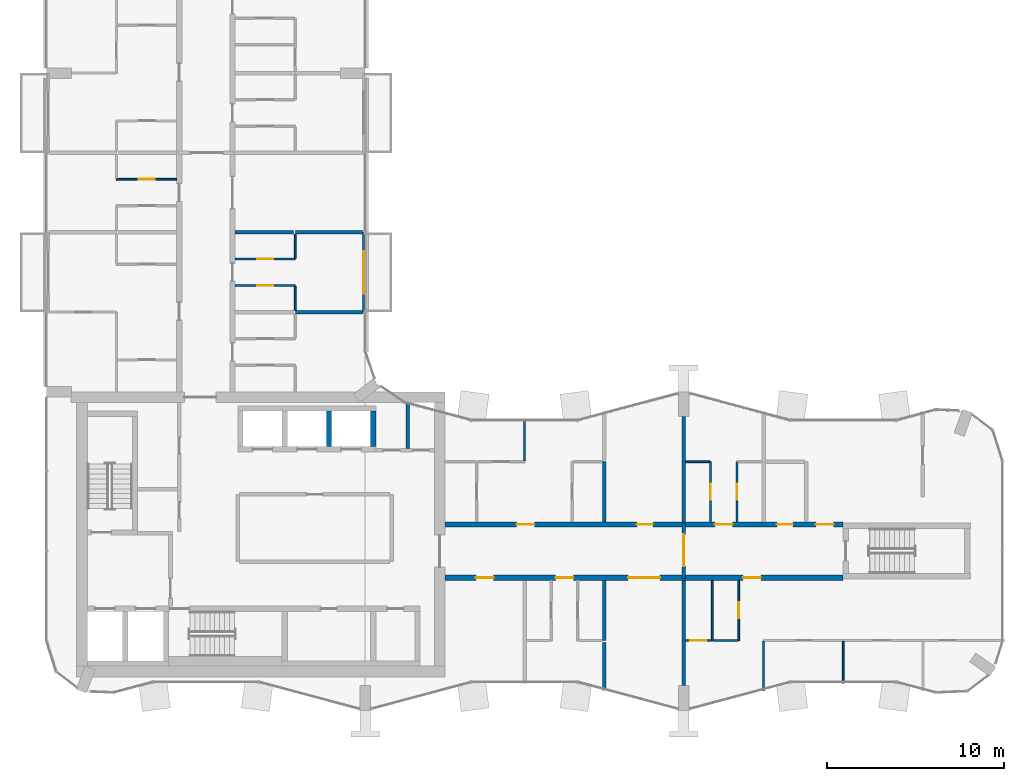
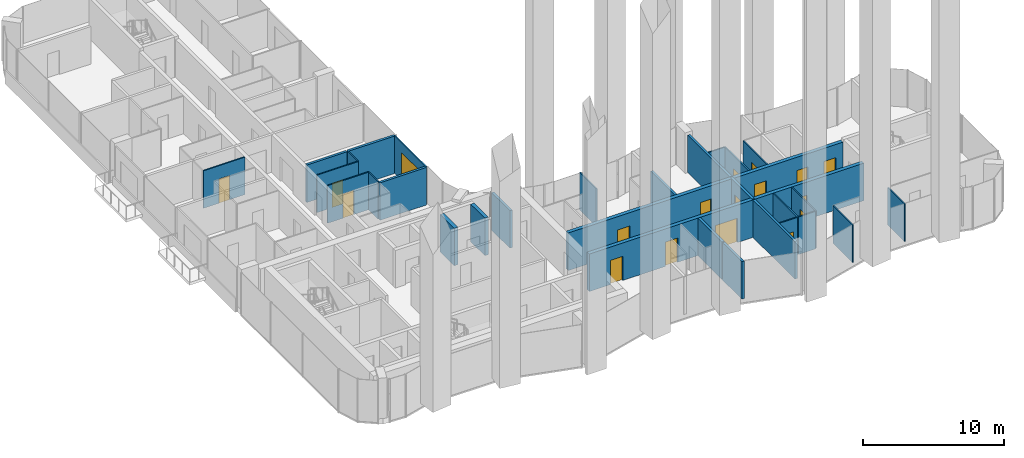
# One storey, part 11 of 18: 30 walls, 18 doors, 18 openings.
"""IFC4 building model written with IfcOpenShell, lengths in metres."""

from ifc_helpers import new_model, si_unit, direction, frame, frame_2d, origin, place, context, subcontext, project, spatial, rectangle, extrude, material, layer, layer_set, type_object, element, fill, save


model = new_model("IFC4")

# Units and contexts
model_context = context("Model", 3, precision=1e-05, world=origin(), true_north=direction((0.0, 1.0)))
body_context = subcontext(model_context, "Body", "Model", "MODEL_VIEW")
ifc_project = project(units=[si_unit("LENGTHUNIT", "METRE"), si_unit("AREAUNIT", "SQUARE_METRE"), si_unit("VOLUMEUNIT", "CUBIC_METRE"), si_unit("PLANEANGLEUNIT", "RADIAN"), si_unit("MASSUNIT", "GRAM", prefix="KILO")], contexts=[model_context])

# Site, building, storey
site_placement = place(None, origin())
site = spatial("IfcSite", under=ifc_project, at=site_placement, CompositionType="ELEMENT")
building_placement = place(site_placement, origin())
building = spatial("IfcBuilding", under=site, at=building_placement, Name="Plateau Cross Towers", CompositionType="ELEMENT")
storey_placement = place(building_placement, frame((0.0, 0.0, 139.39990234375)))
storey = spatial("IfcBuildingStorey", under=building, at=storey_placement, Name="L35", CompositionType="ELEMENT", Elevation=139.39990234375)

# Wall, opening, door
ifc_material_1 = material(Name="Aluminium framed glazing", Category="aluminium")
ifc_layer_1 = layer(ifc_material_1, 0.10009765625)
ifc_layer_set_1 = layer_set([ifc_layer_1], Name="Aluminium framed glazing")
wall_type_1 = type_object("IfcWallType", Name="Balcony screen wall 100", PredefinedType="STANDARD", material=ifc_layer_set_1)
wall_1_placement = place(storey_placement, frame((17.89990234375, 27.0, 0.0), z_axis=(0.0, 0.0, 1.0), x_axis=(0.0, -1.0, 0.0)))
wall_1 = element("IfcWall", 1, at=wall_1_placement, inside=storey, type_object=wall_type_1, Name="Balcony screen wall A-BAL-L35-03", PredefinedType="STANDARD", context=body_context, shape_type="SweptSolid", body=[
    extrude(rectangle(XDim=4.5, YDim=0.10009765625, at=frame_2d((2.25, 0.0))), origin(), (0.0, 0.0, 1.0), 3.25),
])
opening_1_placement = place(wall_1_placement, frame((1.050048828125, 0.0, 0.0)))
opening_1 = element("IfcOpeningElement", 2, at=opening_1_placement, cuts=wall_1, Name="Opening D-B24", PredefinedType="OPENING", context=body_context, shape_type="SweptSolid", body=[
    extrude(rectangle(XDim=2.39990234375, YDim=2.39990234375, at=frame_2d((1.199951171875, 1.199951171875))), frame((0.0, 0.06005859375, 0.0), z_axis=(0.0, -1.0, 0.0), x_axis=(1.0, 0.0, 0.0)), (0.0, 0.0, 1.0), 0.1201171875),
])
ifc_material_2 = material(Name="Aluminium frame, double glazing", Category="aluminium")
door_type_1 = type_object("IfcDoorType", Name="Balcony sliding door 2400", OperationType="NOTDEFINED", PredefinedType="DOOR", material=ifc_material_2)
door_1_placement = place(opening_1_placement, origin())
door_1 = element("IfcDoor", 3, at=door_1_placement, inside=storey, type_object=door_type_1, Name="Balcony door A-BAL-L35-03", OperationType="SINGLE_SWING_LEFT", OverallHeight=2.39990234375, OverallWidth=2.39990234375, PredefinedType="DOOR", context=body_context, shape_type="SweptSolid", body=[
    extrude(rectangle(XDim=2.39990234375, YDim=2.39990234375, at=frame_2d((1.199951171875, 1.199951171875))), frame((0.0, 0.02490234375, 0.0), z_axis=(0.0, -1.0, 0.0), x_axis=(1.0, 0.0, 0.0)), (0.0, 0.0, 1.0), 0.050048828125),
])
fill(opening_1, door_1)

# Walls
ifc_material_3 = material(Name="Concrete block, plastered both sides", Category="concrete")
ifc_layer_2 = layer(ifc_material_3, 0.199951171875)
ifc_layer_set_2 = layer_set([ifc_layer_2], Name="Concrete block, plastered both sides")
wall_type_2 = type_object("IfcWallType", Name="Core partition 200", PredefinedType="PARTITIONING", material=ifc_layer_set_2)
wall_2_placement = place(storey_placement, frame((20.39990234375, 14.800048828125, 0.0), z_axis=(0.0, 0.0, 1.0), x_axis=(0.0, 1.0, 0.0)))
element("IfcWall", 4, at=wall_2_placement, inside=storey, type_object=wall_type_2, Name="Core partition", PredefinedType="PARTITIONING", context=body_context, shape_type="SweptSolid", body=[
    extrude(rectangle(XDim=2.599853515625, YDim=0.199951171875, at=frame_2d((1.2998046875, 0.0))), origin(), (0.0, 0.0, 1.0), 3.25),
])
ifc_material_4 = material(Name="Concrete C60/75", Category="concrete")
ifc_layer_3 = layer(ifc_material_4, 0.300048828125)
ifc_layer_set_3 = layer_set([ifc_layer_3], Name="Concrete C60/75")
wall_type_3 = type_object("IfcWallType", Name="Core shaft wall 300", PredefinedType="SHEAR", material=ifc_layer_set_3)
for number, where, z_axis, x_axis, name in (
    (5, (15.949951171875, 14.89990234375, 0.0), (0.0, 0.0, 1.0), (0.0, 1.0, 0.0), "A-nb-v3@L35"),
    (6, (18.449951171875, 14.89990234375, 0.0), (0.0, 0.0, 1.0), (0.0, 1.0, 0.0), "A-nb-v4@L35"),
):
    element("IfcWall", number, at=place(storey_placement, frame(where, z_axis=z_axis, x_axis=x_axis)), inside=storey, type_object=wall_type_3, Name=name, PredefinedType="SHEAR", context=body_context, shape_type="SweptSolid", body=[
        extrude(rectangle(XDim=2.0, YDim=0.300048828125, at=frame_2d((1.0, 0.0))), origin(), (0.0, 0.0, 1.0), 3.25),
    ])

# Wall, openings, doors
ifc_layer_4 = layer(ifc_material_4, 0.300048828125)
ifc_layer_set_4 = layer_set([ifc_layer_4], Name="Concrete C60/75")
wall_type_4 = type_object("IfcWallType", Name="Corridor wall 300", PredefinedType="SHEAR", material=ifc_layer_set_4)
wall_3_placement = place(storey_placement, frame((22.5, 7.5, 0.0), z_axis=(0.0, 0.0, 1.0), x_axis=(1.0, 0.0, 0.0)))
wall_3 = element("IfcWall", 7, at=wall_3_placement, inside=storey, type_object=wall_type_4, Name="A-cw-S1@L35", PredefinedType="SHEAR", context=body_context, shape_type="SweptSolid", body=[
    extrude(rectangle(XDim=22.5, YDim=0.300048828125, at=frame_2d((11.25, 0.0))), origin(), (0.0, 0.0, 1.0), 3.25),
])
opening_2_placement = place(wall_3_placement, frame((1.75, 0.0, 0.0)))
opening_2 = element("IfcOpeningElement", 8, at=opening_2_placement, cuts=wall_3, Name="Opening 35-01", PredefinedType="OPENING", context=body_context, shape_type="SweptSolid", body=[
    extrude(rectangle(XDim=1.0, YDim=2.10009765625, at=frame_2d((0.5, 1.050048828125))), frame((0.0, 0.159912109375, 0.0), z_axis=(0.0, -1.0, 0.0), x_axis=(1.0, 0.0, 0.0)), (0.0, 0.0, 1.0), 0.320068359375),
])
opening_3_placement = place(wall_3_placement, frame((6.25, 0.0, 0.0)))
opening_3 = element("IfcOpeningElement", 9, at=opening_3_placement, cuts=wall_3, Name="Opening 35-02", PredefinedType="OPENING", context=body_context, shape_type="SweptSolid", body=[
    extrude(rectangle(XDim=1.0, YDim=2.10009765625, at=frame_2d((0.5, 1.050048828125))), frame((0.0, 0.159912109375, 0.0), z_axis=(0.0, -1.0, 0.0), x_axis=(1.0, 0.0, 0.0)), (0.0, 0.0, 1.0), 0.320068359375),
])
opening_4_placement = place(wall_3_placement, frame((10.35009765625, 0.0, 0.0)))
opening_4 = element("IfcOpeningElement", 10, at=opening_4_placement, cuts=wall_3, Name="Opening 35-03", PredefinedType="OPENING", context=body_context, shape_type="SweptSolid", body=[
    extrude(rectangle(XDim=1.800048828125, YDim=2.10009765625, at=frame_2d((0.89990234375, 1.050048828125))), frame((0.0, 0.159912109375, 0.0), z_axis=(0.0, -1.0, 0.0), x_axis=(1.0, 0.0, 0.0)), (0.0, 0.0, 1.0), 0.320068359375),
])
opening_5_placement = place(wall_3_placement, frame((16.85009765625, 0.0, 0.0)))
opening_5 = element("IfcOpeningElement", 11, at=opening_5_placement, cuts=wall_3, Name="Opening 35-04", PredefinedType="OPENING", context=body_context, shape_type="SweptSolid", body=[
    extrude(rectangle(XDim=1.0, YDim=2.10009765625, at=frame_2d((0.5, 1.050048828125))), frame((0.0, 0.159912109375, 0.0), z_axis=(0.0, -1.0, 0.0), x_axis=(1.0, 0.0, 0.0)), (0.0, 0.0, 1.0), 0.320068359375),
])
ifc_material_5 = material(Name="Timber, fire-resisting leaf", Category="wood")
door_type_2 = type_object("IfcDoorType", Name="Flat entrance door 1000", OperationType="NOTDEFINED", PredefinedType="DOOR", material=ifc_material_5)
door_2_placement = place(opening_2_placement, origin())
door_2 = element("IfcDoor", 12, at=door_2_placement, inside=storey, type_object=door_type_2, Name="Door 35-01", OperationType="SINGLE_SWING_LEFT", OverallHeight=2.10009765625, OverallWidth=1.0, PredefinedType="DOOR", context=body_context, shape_type="SweptSolid", body=[
    extrude(rectangle(XDim=1.0, YDim=2.10009765625, at=frame_2d((0.5, 1.050048828125))), frame((0.0, 0.02490234375, 0.0), z_axis=(0.0, -1.0, 0.0), x_axis=(1.0, 0.0, 0.0)), (0.0, 0.0, 1.0), 0.050048828125),
])
fill(opening_2, door_2)
door_3_placement = place(opening_3_placement, origin())
door_3 = element("IfcDoor", 13, at=door_3_placement, inside=storey, type_object=door_type_2, Name="Door 35-02", OperationType="SINGLE_SWING_LEFT", OverallHeight=2.10009765625, OverallWidth=1.0, PredefinedType="DOOR", context=body_context, shape_type="SweptSolid", body=[
    extrude(rectangle(XDim=1.0, YDim=2.10009765625, at=frame_2d((0.5, 1.050048828125))), frame((0.0, 0.02490234375, 0.0), z_axis=(0.0, -1.0, 0.0), x_axis=(1.0, 0.0, 0.0)), (0.0, 0.0, 1.0), 0.050048828125),
])
fill(opening_3, door_3)
door_4_placement = place(opening_5_placement, origin())
door_4 = element("IfcDoor", 14, at=door_4_placement, inside=storey, type_object=door_type_2, Name="Door 35-04", OperationType="SINGLE_SWING_RIGHT", OverallHeight=2.10009765625, OverallWidth=1.0, PredefinedType="DOOR", context=body_context, shape_type="SweptSolid", body=[
    extrude(rectangle(XDim=1.0, YDim=2.10009765625, at=frame_2d((0.5, 1.050048828125))), frame((0.0, 0.02490234375, 0.0), z_axis=(0.0, -1.0, 0.0), x_axis=(1.0, 0.0, 0.0)), (0.0, 0.0, 1.0), 0.050048828125),
])
fill(opening_5, door_4)
ifc_material_6 = material(Name="Timber, fire-resisting leaves", Category="wood")
door_type_3 = type_object("IfcDoorType", Name="Flat floor fire door pair 1800", OperationType="NOTDEFINED", PredefinedType="DOOR", material=ifc_material_6)
door_5_placement = place(opening_4_placement, origin())
door_5 = element("IfcDoor", 15, at=door_5_placement, inside=storey, type_object=door_type_3, Name="Door 35-03", OperationType="SINGLE_SWING_LEFT", OverallHeight=2.10009765625, OverallWidth=1.800048828125, PredefinedType="DOOR", context=body_context, shape_type="SweptSolid", body=[
    extrude(rectangle(XDim=1.800048828125, YDim=2.10009765625, at=frame_2d((0.89990234375, 1.050048828125))), frame((0.0, 0.02490234375, 0.0), z_axis=(0.0, -1.0, 0.0), x_axis=(1.0, 0.0, 0.0)), (0.0, 0.0, 1.0), 0.050048828125),
])
fill(opening_4, door_5)

wall_4_placement = place(storey_placement, frame((22.5, 10.5, 0.0), z_axis=(0.0, 0.0, 1.0), x_axis=(1.0, 0.0, 0.0)))
wall_4 = element("IfcWall", 16, at=wall_4_placement, inside=storey, type_object=wall_type_4, Name="A-cw-S2@L35", PredefinedType="SHEAR", context=body_context, shape_type="SweptSolid", body=[
    extrude(rectangle(XDim=22.5, YDim=0.300048828125, at=frame_2d((11.25, 0.0))), origin(), (0.0, 0.0, 1.0), 3.25),
])
opening_6_placement = place(wall_4_placement, frame((4.050048828125, 0.0, 0.0)))
opening_6 = element("IfcOpeningElement", 17, at=opening_6_placement, cuts=wall_4, Name="Opening 35-05", PredefinedType="OPENING", context=body_context, shape_type="SweptSolid", body=[
    extrude(rectangle(XDim=1.0, YDim=2.10009765625, at=frame_2d((0.5, 1.050048828125))), frame((0.0, 0.159912109375, 0.0), z_axis=(0.0, -1.0, 0.0), x_axis=(1.0, 0.0, 0.0)), (0.0, 0.0, 1.0), 0.320068359375),
])
opening_7_placement = place(wall_4_placement, frame((10.85009765625, 0.0, 0.0)))
opening_7 = element("IfcOpeningElement", 18, at=opening_7_placement, cuts=wall_4, Name="Opening 35-06", PredefinedType="OPENING", context=body_context, shape_type="SweptSolid", body=[
    extrude(rectangle(XDim=0.89990234375, YDim=2.10009765625, at=frame_2d((0.449951171875, 1.050048828125))), frame((0.0, 0.159912109375, 0.0), z_axis=(0.0, -1.0, 0.0), x_axis=(1.0, 0.0, 0.0)), (0.0, 0.0, 1.0), 0.320068359375),
])
opening_8_placement = place(wall_4_placement, frame((15.25, 0.0, 0.0)))
opening_8 = element("IfcOpeningElement", 19, at=opening_8_placement, cuts=wall_4, Name="Opening 35-07", PredefinedType="OPENING", context=body_context, shape_type="SweptSolid", body=[
    extrude(rectangle(XDim=1.0, YDim=2.10009765625, at=frame_2d((0.5, 1.050048828125))), frame((0.0, 0.159912109375, 0.0), z_axis=(0.0, -1.0, 0.0), x_axis=(1.0, 0.0, 0.0)), (0.0, 0.0, 1.0), 0.320068359375),
])
opening_9_placement = place(wall_4_placement, frame((18.75, 0.0, 0.0)))
opening_9 = element("IfcOpeningElement", 20, at=opening_9_placement, cuts=wall_4, Name="Opening 35-08", PredefinedType="OPENING", context=body_context, shape_type="SweptSolid", body=[
    extrude(rectangle(XDim=0.89990234375, YDim=2.10009765625, at=frame_2d((0.449951171875, 1.050048828125))), frame((0.0, 0.159912109375, 0.0), z_axis=(0.0, -1.0, 0.0), x_axis=(1.0, 0.0, 0.0)), (0.0, 0.0, 1.0), 0.320068359375),
])
opening_10_placement = place(wall_4_placement, frame((20.949951171875, 0.0, 0.0)))
opening_10 = element("IfcOpeningElement", 21, at=opening_10_placement, cuts=wall_4, Name="Opening 35-09", PredefinedType="OPENING", context=body_context, shape_type="SweptSolid", body=[
    extrude(rectangle(XDim=1.0, YDim=2.10009765625, at=frame_2d((0.5, 1.050048828125))), frame((0.0, 0.159912109375, 0.0), z_axis=(0.0, -1.0, 0.0), x_axis=(1.0, 0.0, 0.0)), (0.0, 0.0, 1.0), 0.320068359375),
])
door_6_placement = place(opening_6_placement, origin())
door_6 = element("IfcDoor", 22, at=door_6_placement, inside=storey, type_object=door_type_2, Name="Door 35-05", OperationType="SINGLE_SWING_LEFT", OverallHeight=2.10009765625, OverallWidth=1.0, PredefinedType="DOOR", context=body_context, shape_type="SweptSolid", body=[
    extrude(rectangle(XDim=1.0, YDim=2.10009765625, at=frame_2d((0.5, 1.050048828125))), frame((0.0, 0.02490234375, 0.0), z_axis=(0.0, -1.0, 0.0), x_axis=(1.0, 0.0, 0.0)), (0.0, 0.0, 1.0), 0.050048828125),
])
fill(opening_6, door_6)
door_7_placement = place(opening_8_placement, origin())
door_7 = element("IfcDoor", 23, at=door_7_placement, inside=storey, type_object=door_type_2, Name="Door 35-07", OperationType="SINGLE_SWING_RIGHT", OverallHeight=2.10009765625, OverallWidth=1.0, PredefinedType="DOOR", context=body_context, shape_type="SweptSolid", body=[
    extrude(rectangle(XDim=1.0, YDim=2.10009765625, at=frame_2d((0.5, 1.050048828125))), frame((0.0, 0.02490234375, 0.0), z_axis=(0.0, -1.0, 0.0), x_axis=(1.0, 0.0, 0.0)), (0.0, 0.0, 1.0), 0.050048828125),
])
fill(opening_8, door_7)
door_8_placement = place(opening_10_placement, origin())
door_8 = element("IfcDoor", 24, at=door_8_placement, inside=storey, type_object=door_type_2, Name="Door 35-09", OperationType="SINGLE_SWING_RIGHT", OverallHeight=2.10009765625, OverallWidth=1.0, PredefinedType="DOOR", context=body_context, shape_type="SweptSolid", body=[
    extrude(rectangle(XDim=1.0, YDim=2.10009765625, at=frame_2d((0.5, 1.050048828125))), frame((0.0, 0.02490234375, 0.0), z_axis=(0.0, -1.0, 0.0), x_axis=(1.0, 0.0, 0.0)), (0.0, 0.0, 1.0), 0.050048828125),
])
fill(opening_10, door_8)
door_type_4 = type_object("IfcDoorType", Name="Flat floor service door 900", OperationType="NOTDEFINED", PredefinedType="DOOR", material=ifc_material_5)
door_9_placement = place(opening_7_placement, origin())
door_9 = element("IfcDoor", 25, at=door_9_placement, inside=storey, type_object=door_type_4, Name="Door 35-06", OperationType="SINGLE_SWING_RIGHT", OverallHeight=2.10009765625, OverallWidth=0.89990234375, PredefinedType="DOOR", context=body_context, shape_type="SweptSolid", body=[
    extrude(rectangle(XDim=0.89990234375, YDim=2.10009765625, at=frame_2d((0.449951171875, 1.050048828125))), frame((0.0, 0.02490234375, 0.0), z_axis=(0.0, -1.0, 0.0), x_axis=(1.0, 0.0, 0.0)), (0.0, 0.0, 1.0), 0.050048828125),
])
fill(opening_7, door_9)
door_10_placement = place(opening_9_placement, origin())
door_10 = element("IfcDoor", 26, at=door_10_placement, inside=storey, type_object=door_type_4, Name="Door 35-08", OperationType="SINGLE_SWING_RIGHT", OverallHeight=2.10009765625, OverallWidth=0.89990234375, PredefinedType="DOOR", context=body_context, shape_type="SweptSolid", body=[
    extrude(rectangle(XDim=0.89990234375, YDim=2.10009765625, at=frame_2d((0.449951171875, 1.050048828125))), frame((0.0, 0.02490234375, 0.0), z_axis=(0.0, -1.0, 0.0), x_axis=(1.0, 0.0, 0.0)), (0.0, 0.0, 1.0), 0.050048828125),
])
fill(opening_9, door_10)

# Wall, opening, door
ifc_material_7 = material(Name="Gypsum board on steel studs", Category="steel")
ifc_layer_5 = layer(ifc_material_7, 0.10009765625)
ifc_layer_set_5 = layer_set([ifc_layer_5], Name="Gypsum board on steel studs")
wall_type_5 = type_object("IfcWallType", Name="Flat partition 100", PredefinedType="PARTITIONING", material=ifc_layer_set_5)
wall_5_placement = place(storey_placement, frame((36.10009765625, 3.949951171875, 0.0), z_axis=(0.0, 0.0, 1.0), x_axis=(1.0, 0.0, 0.0)))
wall_5 = element("IfcWall", 27, at=wall_5_placement, inside=storey, type_object=wall_type_5, Name="Partition wall", PredefinedType="PARTITIONING", context=body_context, shape_type="SweptSolid", body=[
    extrude(rectangle(XDim=1.449951171875, YDim=0.10009765625, at=frame_2d((0.72509765625, 0.0))), origin(), (0.0, 0.0, 1.0), 3.25),
])
opening_11_placement = place(wall_5_placement, frame((0.25, 0.0, 0.0)))
opening_11 = element("IfcOpeningElement", 28, at=opening_11_placement, cuts=wall_5, Name="Opening 35-26", PredefinedType="OPENING", context=body_context, shape_type="SweptSolid", body=[
    extrude(rectangle(XDim=0.89990234375, YDim=2.10009765625, at=frame_2d((0.449951171875, 1.050048828125))), frame((0.0, 0.06005859375, 0.0), z_axis=(0.0, -1.0, 0.0), x_axis=(1.0, 0.0, 0.0)), (0.0, 0.0, 1.0), 0.1201171875),
])
ifc_material_8 = material(Name="Timber leaf", Category="wood")
door_type_5 = type_object("IfcDoorType", Name="Flat room door 900", OperationType="NOTDEFINED", PredefinedType="DOOR", material=ifc_material_8)
door_11_placement = place(opening_11_placement, origin())
door_11 = element("IfcDoor", 29, at=door_11_placement, inside=storey, type_object=door_type_5, Name="Door 35-26", OperationType="SINGLE_SWING_LEFT", OverallHeight=2.10009765625, OverallWidth=0.89990234375, PredefinedType="DOOR", context=body_context, shape_type="SweptSolid", body=[
    extrude(rectangle(XDim=0.89990234375, YDim=2.10009765625, at=frame_2d((0.449951171875, 1.050048828125))), frame((0.0, 0.02490234375, 0.0), z_axis=(0.0, -1.0, 0.0), x_axis=(1.0, 0.0, 0.0)), (0.0, 0.0, 1.0), 0.050048828125),
])
fill(opening_11, door_11)

# Walls
wall_6_placement = place(storey_placement, frame((37.64990234375, 3.949951171875, 0.0), z_axis=(0.0, 0.0, 1.0), x_axis=(1.0, 0.0, 0.0)))
element("IfcWall", 30, at=wall_6_placement, inside=storey, type_object=wall_type_5, Name="Partition wall", PredefinedType="PARTITIONING", context=body_context, shape_type="SweptSolid", body=[
    extrude(rectangle(XDim=1.400146484375, YDim=0.10009765625, at=frame_2d((0.7001953125, 0.0))), origin(), (0.0, 0.0, 1.0), 3.25),
])
wall_7_placement = place(storey_placement, frame((37.449951171875, 14.050048828125, 0.0), z_axis=(0.0, 0.0, 1.0), x_axis=(-1.0, 0.0, 0.0)))
element("IfcWall", 31, at=wall_7_placement, inside=storey, type_object=wall_type_5, Name="Partition wall", PredefinedType="PARTITIONING", context=body_context, shape_type="SweptSolid", body=[
    extrude(rectangle(XDim=1.349853515625, YDim=0.10009765625, at=frame_2d((0.6748046875, 0.0))), origin(), (0.0, 0.0, 1.0), 3.25),
])

# Wall, opening, door
wall_8_placement = place(storey_placement, frame((14.050048828125, 24.0, 0.0), z_axis=(0.0, 0.0, 1.0), x_axis=(-1.0, 0.0, 0.0)))
wall_8 = element("IfcWall", 32, at=wall_8_placement, inside=storey, type_object=wall_type_5, Name="Partition wall", PredefinedType="PARTITIONING", context=body_context, shape_type="SweptSolid", body=[
    extrude(rectangle(XDim=3.400146484375, YDim=0.10009765625, at=frame_2d((1.7001953125, 0.0))), origin(), (0.0, 0.0, 1.0), 3.25),
])
opening_12_placement = place(wall_8_placement, frame((1.25, 0.0, 0.0)))
opening_12 = element("IfcOpeningElement", 33, at=opening_12_placement, cuts=wall_8, Name="Opening 35-46", PredefinedType="OPENING", context=body_context, shape_type="SweptSolid", body=[
    extrude(rectangle(XDim=0.89990234375, YDim=2.10009765625, at=frame_2d((0.449951171875, 1.050048828125))), frame((0.0, 0.06005859375, 0.0), z_axis=(0.0, -1.0, 0.0), x_axis=(1.0, 0.0, 0.0)), (0.0, 0.0, 1.0), 0.1201171875),
])
door_12_placement = place(opening_12_placement, origin())
door_12 = element("IfcDoor", 34, at=door_12_placement, inside=storey, type_object=door_type_5, Name="Door 35-46", OperationType="SINGLE_SWING_LEFT", OverallHeight=2.10009765625, OverallWidth=0.89990234375, PredefinedType="DOOR", context=body_context, shape_type="SweptSolid", body=[
    extrude(rectangle(XDim=0.89990234375, YDim=2.10009765625, at=frame_2d((0.449951171875, 1.050048828125))), frame((0.0, 0.02490234375, 0.0), z_axis=(0.0, -1.0, 0.0), x_axis=(1.0, 0.0, 0.0)), (0.0, 0.0, 1.0), 0.050048828125),
])
fill(opening_12, door_12)

wall_9_placement = place(storey_placement, frame((10.64990234375, 25.5, 0.0), z_axis=(0.0, 0.0, 1.0), x_axis=(1.0, 0.0, 0.0)))
wall_9 = element("IfcWall", 35, at=wall_9_placement, inside=storey, type_object=wall_type_5, Name="Partition wall", PredefinedType="PARTITIONING", context=body_context, shape_type="SweptSolid", body=[
    extrude(rectangle(XDim=3.400146484375, YDim=0.10009765625, at=frame_2d((1.7001953125, 0.0))), origin(), (0.0, 0.0, 1.0), 3.25),
])
opening_13_placement = place(wall_9_placement, frame((1.25, 0.0, 0.0)))
opening_13 = element("IfcOpeningElement", 36, at=opening_13_placement, cuts=wall_9, Name="Opening 35-47", PredefinedType="OPENING", context=body_context, shape_type="SweptSolid", body=[
    extrude(rectangle(XDim=0.89990234375, YDim=2.10009765625, at=frame_2d((0.449951171875, 1.050048828125))), frame((0.0, 0.06005859375, 0.0), z_axis=(0.0, -1.0, 0.0), x_axis=(1.0, 0.0, 0.0)), (0.0, 0.0, 1.0), 0.1201171875),
])
door_13_placement = place(opening_13_placement, origin())
door_13 = element("IfcDoor", 37, at=door_13_placement, inside=storey, type_object=door_type_5, Name="Door 35-47", OperationType="SINGLE_SWING_LEFT", OverallHeight=2.10009765625, OverallWidth=0.89990234375, PredefinedType="DOOR", context=body_context, shape_type="SweptSolid", body=[
    extrude(rectangle(XDim=0.89990234375, YDim=2.10009765625, at=frame_2d((0.449951171875, 1.050048828125))), frame((0.0, 0.02490234375, 0.0), z_axis=(0.0, -1.0, 0.0), x_axis=(1.0, 0.0, 0.0)), (0.0, 0.0, 1.0), 0.050048828125),
])
fill(opening_13, door_13)

wall_10_placement = place(storey_placement, frame((3.949951171875, 30.0, 0.0), z_axis=(0.0, 0.0, 1.0), x_axis=(1.0, 0.0, 0.0)))
wall_10 = element("IfcWall", 38, at=wall_10_placement, inside=storey, type_object=wall_type_5, Name="Partition wall", PredefinedType="PARTITIONING", context=body_context, shape_type="SweptSolid", body=[
    extrude(rectangle(XDim=3.400146484375, YDim=0.10009765625, at=frame_2d((1.7001953125, 0.0))), origin(), (0.0, 0.0, 1.0), 3.25),
])
opening_14_placement = place(wall_10_placement, frame((1.25, 0.0, 0.0)))
opening_14 = element("IfcOpeningElement", 39, at=opening_14_placement, cuts=wall_10, Name="Opening 35-40", PredefinedType="OPENING", context=body_context, shape_type="SweptSolid", body=[
    extrude(rectangle(XDim=0.89990234375, YDim=2.10009765625, at=frame_2d((0.449951171875, 1.050048828125))), frame((0.0, 0.06005859375, 0.0), z_axis=(0.0, -1.0, 0.0), x_axis=(1.0, 0.0, 0.0)), (0.0, 0.0, 1.0), 0.1201171875),
])
door_14_placement = place(opening_14_placement, origin())
door_14 = element("IfcDoor", 40, at=door_14_placement, inside=storey, type_object=door_type_5, Name="Door 35-40", OperationType="SINGLE_SWING_RIGHT", OverallHeight=2.10009765625, OverallWidth=0.89990234375, PredefinedType="DOOR", context=body_context, shape_type="SweptSolid", body=[
    extrude(rectangle(XDim=0.89990234375, YDim=2.10009765625, at=frame_2d((0.449951171875, 1.050048828125))), frame((0.0, 0.02490234375, 0.0), z_axis=(0.0, -1.0, 0.0), x_axis=(1.0, 0.0, 0.0)), (0.0, 0.0, 1.0), 0.050048828125),
])
fill(opening_14, door_14)

# Walls
for number, where, z_axis, x_axis, name in (
    (41, (14.050048828125, 22.60009765625, 0.0), (0.0, 0.0, 1.0), (0.0, 1.0, 0.0), "Partition wall"),
    (42, (14.050048828125, 25.550048828125, 0.0), (0.0, 0.0, 1.0), (0.0, 1.0, 0.0), "Partition wall"),
):
    element("IfcWall", number, at=place(storey_placement, frame(where, z_axis=z_axis, x_axis=x_axis)), inside=storey, type_object=wall_type_5, Name=name, PredefinedType="PARTITIONING", context=body_context, shape_type="SweptSolid", body=[
        extrude(rectangle(XDim=1.349853515625, YDim=0.10009765625, at=frame_2d((0.6748046875, 0.0))), origin(), (0.0, 0.0, 1.0), 3.25),
    ])
wall_11_placement = place(storey_placement, frame((27.0, 14.10009765625, 0.0), z_axis=(0.0, 0.0, 1.0), x_axis=(0.0, 1.0, 0.0)))
element("IfcWall", 43, at=wall_11_placement, inside=storey, type_object=wall_type_5, Name="Partition wall", PredefinedType="PARTITIONING", context=body_context, shape_type="SweptSolid", body=[
    extrude(rectangle(XDim=2.373046875, YDim=0.10009765625, at=frame_2d((1.1865234375, 0.0))), origin(), (0.0, 0.0, 1.0), 3.25),
])

# Wall, opening, door
wall_12_placement = place(storey_placement, frame((37.5, 10.64990234375, 0.0), z_axis=(0.0, 0.0, 1.0), x_axis=(0.0, 1.0, 0.0)))
wall_12 = element("IfcWall", 44, at=wall_12_placement, inside=storey, type_object=wall_type_5, Name="Partition wall", PredefinedType="PARTITIONING", context=body_context, shape_type="SweptSolid", body=[
    extrude(rectangle(XDim=3.400146484375, YDim=0.10009765625, at=frame_2d((1.7001953125, 0.0))), origin(), (0.0, 0.0, 1.0), 3.25),
])
opening_15_placement = place(wall_12_placement, frame((1.25, 0.0, 0.0)))
opening_15 = element("IfcOpeningElement", 45, at=opening_15_placement, cuts=wall_12, Name="Opening 35-34", PredefinedType="OPENING", context=body_context, shape_type="SweptSolid", body=[
    extrude(rectangle(XDim=0.89990234375, YDim=2.10009765625, at=frame_2d((0.449951171875, 1.050048828125))), frame((0.0, 0.06005859375, 0.0), z_axis=(0.0, -1.0, 0.0), x_axis=(1.0, 0.0, 0.0)), (0.0, 0.0, 1.0), 0.1201171875),
])
door_15_placement = place(opening_15_placement, origin())
door_15 = element("IfcDoor", 46, at=door_15_placement, inside=storey, type_object=door_type_5, Name="Door 35-34", OperationType="SINGLE_SWING_LEFT", OverallHeight=2.10009765625, OverallWidth=0.89990234375, PredefinedType="DOOR", context=body_context, shape_type="SweptSolid", body=[
    extrude(rectangle(XDim=0.89990234375, YDim=2.10009765625, at=frame_2d((0.449951171875, 1.050048828125))), frame((0.0, 0.02490234375, 0.0), z_axis=(0.0, -1.0, 0.0), x_axis=(1.0, 0.0, 0.0)), (0.0, 0.0, 1.0), 0.050048828125),
])
fill(opening_15, door_15)

# Wall
wall_13_placement = place(storey_placement, frame((37.60009765625, 3.949951171875, 0.0), z_axis=(0.0, 0.0, 1.0), x_axis=(0.0, 1.0, 0.0)))
element("IfcWall", 47, at=wall_13_placement, inside=storey, type_object=wall_type_5, Name="Partition wall", PredefinedType="PARTITIONING", context=body_context, shape_type="SweptSolid", body=[
    extrude(rectangle(XDim=3.400146484375, YDim=0.10009765625, at=frame_2d((1.7001953125, 0.0))), origin(), (0.0, 0.0, 1.0), 3.25),
])

# Wall, opening, door
wall_14_placement = place(storey_placement, frame((39.0, 14.050048828125, 0.0), z_axis=(0.0, 0.0, 1.0), x_axis=(0.0, -1.0, 0.0)))
wall_14 = element("IfcWall", 48, at=wall_14_placement, inside=storey, type_object=wall_type_5, Name="Partition wall", PredefinedType="PARTITIONING", context=body_context, shape_type="SweptSolid", body=[
    extrude(rectangle(XDim=3.400146484375, YDim=0.10009765625, at=frame_2d((1.7001953125, 0.0))), origin(), (0.0, 0.0, 1.0), 3.25),
])
opening_16_placement = place(wall_14_placement, frame((1.25, 0.0, 0.0)))
opening_16 = element("IfcOpeningElement", 49, at=opening_16_placement, cuts=wall_14, Name="Opening 35-35", PredefinedType="OPENING", context=body_context, shape_type="SweptSolid", body=[
    extrude(rectangle(XDim=0.89990234375, YDim=2.10009765625, at=frame_2d((0.449951171875, 1.050048828125))), frame((0.0, 0.06005859375, 0.0), z_axis=(0.0, -1.0, 0.0), x_axis=(1.0, 0.0, 0.0)), (0.0, 0.0, 1.0), 0.1201171875),
])
door_16_placement = place(opening_16_placement, origin())
door_16 = element("IfcDoor", 50, at=door_16_placement, inside=storey, type_object=door_type_5, Name="Door 35-35", OperationType="SINGLE_SWING_LEFT", OverallHeight=2.10009765625, OverallWidth=0.89990234375, PredefinedType="DOOR", context=body_context, shape_type="SweptSolid", body=[
    extrude(rectangle(XDim=0.89990234375, YDim=2.10009765625, at=frame_2d((0.449951171875, 1.050048828125))), frame((0.0, 0.02490234375, 0.0), z_axis=(0.0, -1.0, 0.0), x_axis=(1.0, 0.0, 0.0)), (0.0, 0.0, 1.0), 0.050048828125),
])
fill(opening_16, door_16)

wall_15_placement = place(storey_placement, frame((39.10009765625, 3.949951171875, 0.0), z_axis=(0.0, 0.0, 1.0), x_axis=(0.0, 1.0, 0.0)))
wall_15 = element("IfcWall", 51, at=wall_15_placement, inside=storey, type_object=wall_type_5, Name="Partition wall", PredefinedType="PARTITIONING", context=body_context, shape_type="SweptSolid", body=[
    extrude(rectangle(XDim=3.400146484375, YDim=0.10009765625, at=frame_2d((1.7001953125, 0.0))), origin(), (0.0, 0.0, 1.0), 3.25),
])
opening_17_placement = place(wall_15_placement, frame((1.25, 0.0, 0.0)))
opening_17 = element("IfcOpeningElement", 52, at=opening_17_placement, cuts=wall_15, Name="Opening 35-27", PredefinedType="OPENING", context=body_context, shape_type="SweptSolid", body=[
    extrude(rectangle(XDim=0.89990234375, YDim=2.10009765625, at=frame_2d((0.449951171875, 1.050048828125))), frame((0.0, 0.06005859375, 0.0), z_axis=(0.0, -1.0, 0.0), x_axis=(1.0, 0.0, 0.0)), (0.0, 0.0, 1.0), 0.1201171875),
])
door_17_placement = place(opening_17_placement, origin())
door_17 = element("IfcDoor", 53, at=door_17_placement, inside=storey, type_object=door_type_5, Name="Door 35-27", OperationType="SINGLE_SWING_RIGHT", OverallHeight=2.10009765625, OverallWidth=0.89990234375, PredefinedType="DOOR", context=body_context, shape_type="SweptSolid", body=[
    extrude(rectangle(XDim=0.89990234375, YDim=2.10009765625, at=frame_2d((0.449951171875, 1.050048828125))), frame((0.0, 0.02490234375, 0.0), z_axis=(0.0, -1.0, 0.0), x_axis=(1.0, 0.0, 0.0)), (0.0, 0.0, 1.0), 0.050048828125),
])
fill(opening_17, door_17)

# Walls
wall_16_placement = place(storey_placement, frame((40.5, 3.89990234375, 0.0), z_axis=(0.0, 0.0, 1.0), x_axis=(0.0, -1.0, 0.0)))
element("IfcWall", 54, at=wall_16_placement, inside=storey, type_object=wall_type_5, Name="Partition wall", PredefinedType="PARTITIONING", context=body_context, shape_type="SweptSolid", body=[
    extrude(rectangle(XDim=2.777587890625, YDim=0.10009765625, at=frame_2d((1.388671875, 0.0))), origin(), (0.0, 0.0, 1.0), 3.25),
])
wall_17_placement = place(storey_placement, frame((45.0, 1.52685546875, 0.0), z_axis=(0.0, 0.0, 1.0), x_axis=(0.0, 1.0, 0.0)))
element("IfcWall", 55, at=wall_17_placement, inside=storey, type_object=wall_type_5, Name="Partition wall", PredefinedType="PARTITIONING", context=body_context, shape_type="SweptSolid", body=[
    extrude(rectangle(XDim=2.373046875, YDim=0.10009765625, at=frame_2d((1.1865234375, 0.0))), origin(), (0.0, 0.0, 1.0), 3.25),
])
ifc_material_9 = material(Name="Gypsum board on steel studs, two layers each side", Category="steel")
ifc_layer_6 = layer(ifc_material_9, 0.199951171875)
ifc_layer_set_6 = layer_set([ifc_layer_6], Name="Gypsum board on steel studs, two layers each side")
wall_type_6 = type_object("IfcWallType", Name="Flat party wall 200", PredefinedType="PARTITIONING", material=ifc_layer_set_6)
wall_18_placement = place(storey_placement, frame((14.050048828125, 22.5, 0.0), z_axis=(0.0, 0.0, 1.0), x_axis=(1.0, 0.0, 0.0)))
element("IfcWall", 56, at=wall_18_placement, inside=storey, type_object=wall_type_6, Name="Party wall", PredefinedType="PARTITIONING", context=body_context, shape_type="SweptSolid", body=[
    extrude(rectangle(XDim=3.800048828125, YDim=0.199951171875, at=frame_2d((1.89990234375, 0.0))), origin(), (0.0, 0.0, 1.0), 3.25),
])
wall_19_placement = place(storey_placement, frame((13.949951171875, 27.0, 0.0), z_axis=(0.0, 0.0, 1.0), x_axis=(-1.0, 0.0, 0.0)))
element("IfcWall", 57, at=wall_19_placement, inside=storey, type_object=wall_type_6, Name="Party wall", PredefinedType="PARTITIONING", context=body_context, shape_type="SweptSolid", body=[
    extrude(rectangle(XDim=3.300048828125, YDim=0.199951171875, at=frame_2d((1.64990234375, 0.0))), origin(), (0.0, 0.0, 1.0), 3.25),
])
wall_20_placement = place(storey_placement, frame((14.050048828125, 27.0, 0.0), z_axis=(0.0, 0.0, 1.0), x_axis=(1.0, 0.0, 0.0)))
element("IfcWall", 58, at=wall_20_placement, inside=storey, type_object=wall_type_6, Name="Party wall", PredefinedType="PARTITIONING", context=body_context, shape_type="SweptSolid", body=[
    extrude(rectangle(XDim=3.800048828125, YDim=0.199951171875, at=frame_2d((1.89990234375, 0.0))), origin(), (0.0, 0.0, 1.0), 3.25),
])
wall_21_placement = place(storey_placement, frame((31.5, 3.85009765625, 0.0), z_axis=(0.0, 0.0, 1.0), x_axis=(0.0, -1.0, 0.0)))
element("IfcWall", 59, at=wall_21_placement, inside=storey, type_object=wall_type_6, Name="Party wall", PredefinedType="PARTITIONING", context=body_context, shape_type="SweptSolid", body=[
    extrude(rectangle(XDim=2.727783203125, YDim=0.199951171875, at=frame_2d((1.36376953125, 0.0))), origin(), (0.0, 0.0, 1.0), 3.25),
])
for number, where, z_axis, x_axis, name in (
    (60, (31.5, 3.949951171875, 0.0), (0.0, 0.0, 1.0), (0.0, 1.0, 0.0), "Party wall"),
    (61, (31.5, 10.64990234375, 0.0), (0.0, 0.0, 1.0), (0.0, 1.0, 0.0), "Party wall"),
):
    element("IfcWall", number, at=place(storey_placement, frame(where, z_axis=z_axis, x_axis=x_axis)), inside=storey, type_object=wall_type_6, Name=name, PredefinedType="PARTITIONING", context=body_context, shape_type="SweptSolid", body=[
        extrude(rectangle(XDim=3.400146484375, YDim=0.199951171875, at=frame_2d((1.7001953125, 0.0))), origin(), (0.0, 0.0, 1.0), 3.25),
    ])
for number, where, z_axis, x_axis, name in (
    (62, (36.0, 1.39990234375, 0.0), (0.0, 0.0, 1.0), (0.0, 1.0, 0.0), "Party wall"),
    (63, (36.0, 10.64990234375, 0.0), (0.0, 0.0, 1.0), (0.0, 1.0, 0.0), "Party wall"),
):
    element("IfcWall", number, at=place(storey_placement, frame(where, z_axis=z_axis, x_axis=x_axis)), inside=storey, type_object=wall_type_6, Name=name, PredefinedType="PARTITIONING", context=body_context, shape_type="SweptSolid", body=[
        extrude(rectangle(XDim=5.9501953125, YDim=0.199951171875, at=frame_2d((2.97509765625, 0.0))), origin(), (0.0, 0.0, 1.0), 3.25),
    ])

# Wall, opening, door
wall_22_placement = place(storey_placement, frame((36.0, 7.449951171875, 0.0), z_axis=(0.0, 0.0, 1.0), x_axis=(0.0, 1.0, 0.0)))
wall_22 = element("IfcWall", 64, at=wall_22_placement, inside=storey, type_object=wall_type_6, Name="Party wall", PredefinedType="PARTITIONING", context=body_context, shape_type="SweptSolid", body=[
    extrude(rectangle(XDim=3.10009765625, YDim=0.199951171875, at=frame_2d((1.550048828125, 0.0))), origin(), (0.0, 0.0, 1.0), 3.25),
])
opening_18_placement = place(wall_22_placement, frame((0.699951171875, 0.0, 0.0)))
opening_18 = element("IfcOpeningElement", 65, at=opening_18_placement, cuts=wall_22, Name="Opening 35-20", PredefinedType="OPENING", context=body_context, shape_type="SweptSolid", body=[
    extrude(rectangle(XDim=1.800048828125, YDim=2.10009765625, at=frame_2d((0.89990234375, 1.050048828125))), frame((0.0, 0.10986328125, 0.0), z_axis=(0.0, -1.0, 0.0), x_axis=(1.0, 0.0, 0.0)), (0.0, 0.0, 1.0), 0.219970703125),
])
door_18_placement = place(opening_18_placement, origin())
door_18 = element("IfcDoor", 66, at=door_18_placement, inside=storey, type_object=door_type_3, Name="Door 35-20", OperationType="SINGLE_SWING_RIGHT", OverallHeight=2.10009765625, OverallWidth=1.800048828125, PredefinedType="DOOR", context=body_context, shape_type="SweptSolid", body=[
    extrude(rectangle(XDim=1.800048828125, YDim=2.10009765625, at=frame_2d((0.89990234375, 1.050048828125))), frame((0.0, 0.02490234375, 0.0), z_axis=(0.0, -1.0, 0.0), x_axis=(1.0, 0.0, 0.0)), (0.0, 0.0, 1.0), 0.050048828125),
])
fill(opening_18, door_18)

save(model, "model.ifc")
